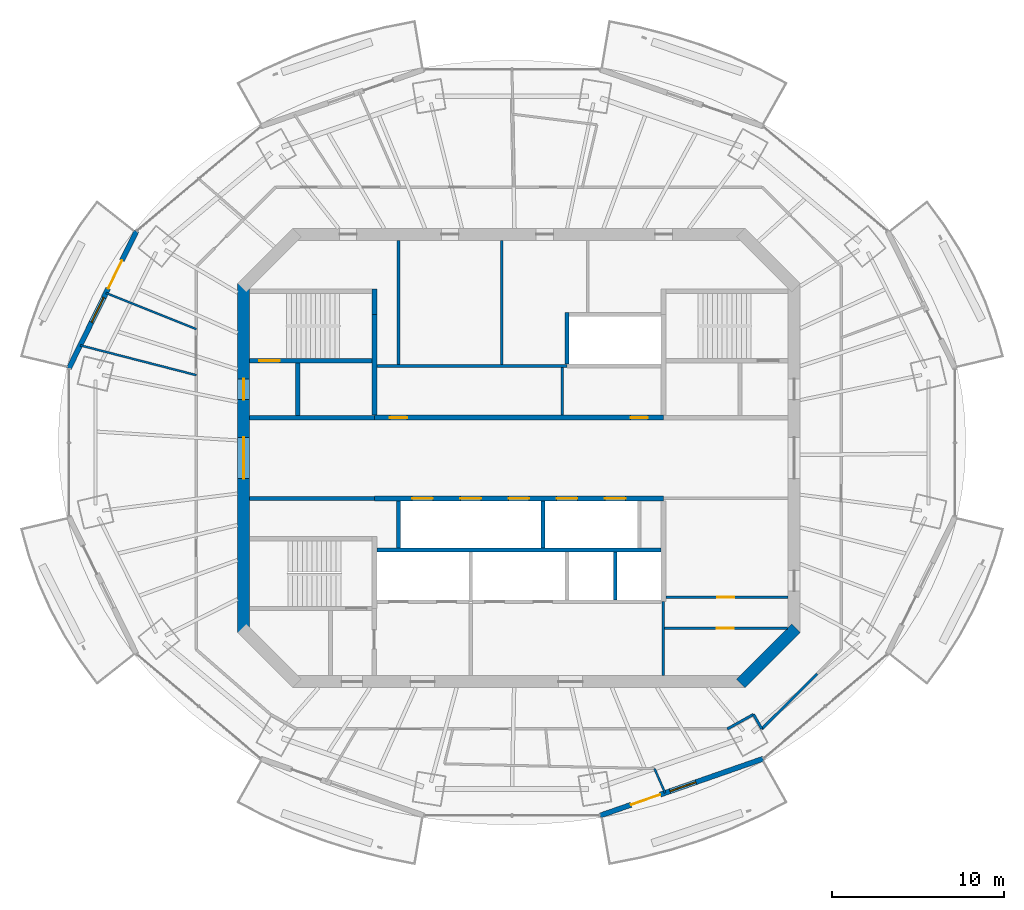
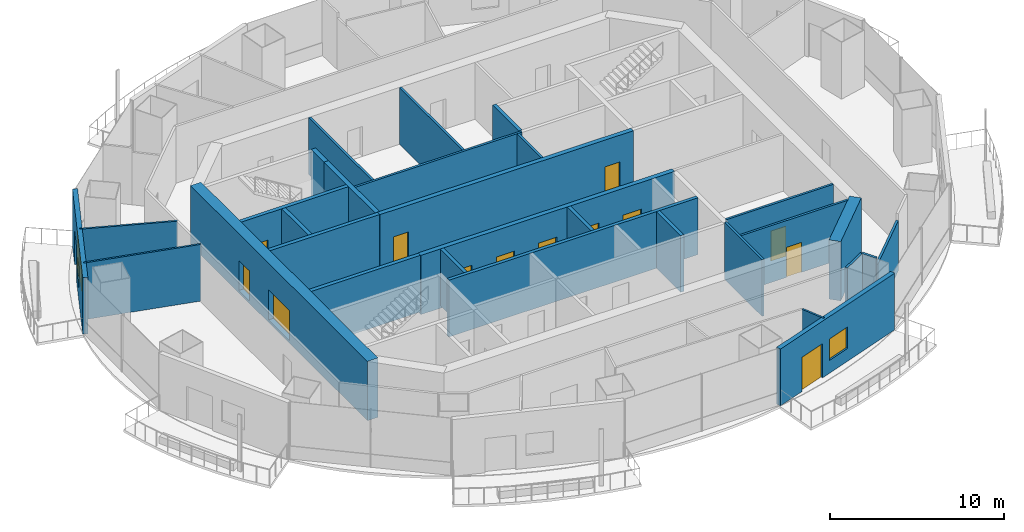
# One storey, part 9 of 16: 30 walls, 14 doors, 2 windows, 16 openings.
"""IFC4 building model written with IfcOpenShell, lengths in metres."""

from ifc_helpers import new_model, si_unit, direction, frame, frame_2d, origin, place, context, subcontext, project, spatial, rectangle, extrude, material, layer, layer_set, type_object, element, fill, save


model = new_model("IFC4")

# Units and contexts
model_context = context("Model", 3, precision=1e-05, world=origin(), true_north=direction((0.0, 1.0)))
body_context = subcontext(model_context, "Body", "Model", "MODEL_VIEW")
ifc_project = project(units=[si_unit("LENGTHUNIT", "METRE"), si_unit("AREAUNIT", "SQUARE_METRE"), si_unit("VOLUMEUNIT", "CUBIC_METRE"), si_unit("PLANEANGLEUNIT", "RADIAN"), si_unit("MASSUNIT", "GRAM", prefix="KILO")], contexts=[model_context])

# Site, building, storey
site_placement = place(None, origin())
site = spatial("IfcSite", under=ifc_project, at=site_placement, CompositionType="ELEMENT")
building_placement = place(site_placement, origin())
building = spatial("IfcBuilding", under=site, at=building_placement, Name="Marenthal Gate Tower", CompositionType="ELEMENT")
storey_placement = place(building_placement, frame((0.0, 0.0, 359.199951171875)))
storey = spatial("IfcBuildingStorey", under=building, at=storey_placement, Name="L81", CompositionType="ELEMENT", Elevation=359.199951171875)

# Wall
ifc_material_1 = material(Name="Concrete 60 MPa", Category="concrete")
ifc_layer_1 = layer(ifc_material_1, 0.699951171875)
ifc_layer_set_1 = layer_set([ifc_layer_1], Name="Core shear wall 700")
wall_type_1 = type_object("IfcWallType", Name="Core shear wall 700", PredefinedType="SHEAR", material=ifc_layer_set_1)
wall_1_placement = place(storey_placement, frame((12.8974609375, -13.1025390625, -0.179931640625), z_axis=(0.0, 0.0, 1.0), x_axis=(0.707106781187, 0.707106781187, 0.0)))
element("IfcWall", 1, at=wall_1_placement, inside=storey, type_object=wall_type_1, Name="Core wall 01", PredefinedType="SHEAR", context=body_context, shape_type="SweptSolid", body=[
    extrude(rectangle(XDim=4.53271484375, YDim=0.699951171875, at=frame_2d((2.266357421875, 0.0))), origin(), (0.0, 0.0, 1.0), 4.14990234375),
])

# Wall, openings, doors
wall_2_placement = place(storey_placement, frame((-16.0, 10.14501953125, -0.179931640625), z_axis=(0.0, 0.0, 1.0), x_axis=(0.0, -1.0, 0.0)))
wall_2 = element("IfcWall", 2, at=wall_2_placement, inside=storey, type_object=wall_type_1, Name="Core wall 06", PredefinedType="SHEAR", context=body_context, shape_type="SweptSolid", body=[
    extrude(rectangle(XDim=20.2900390625, YDim=0.699951171875, at=frame_2d((10.14501953125, 0.0))), origin(), (0.0, 0.0, 1.0), 4.14990234375),
])
opening_1_placement = place(wall_2_placement, frame((8.945068359375, 0.0, 0.179931640625)))
opening_1 = element("IfcOpeningElement", 3, at=opening_1_placement, cuts=wall_2, Name="Opening D003.01", PredefinedType="OPENING", context=body_context, shape_type="SweptSolid", body=[
    extrude(rectangle(XDim=2.39990234375, YDim=2.10009765625, at=frame_2d((1.199951171875, 1.050048828125))), frame((0.0, 0.35986328125, 0.0), z_axis=(0.0, -1.0, 0.0), x_axis=(1.0, 0.0, 0.0)), (0.0, 0.0, 1.0), 0.719970703125),
])
opening_2_placement = place(wall_2_placement, frame((5.544921875, 0.0, 0.179931640625)))
opening_2 = element("IfcOpeningElement", 4, at=opening_2_placement, cuts=wall_2, Name="Opening D001.04", PredefinedType="OPENING", context=body_context, shape_type="SweptSolid", body=[
    extrude(rectangle(XDim=1.199951171875, YDim=2.10009765625, at=frame_2d((0.60009765625, 1.050048828125))), frame((0.0, 0.35986328125, 0.0), z_axis=(0.0, -1.0, 0.0), x_axis=(1.0, 0.0, 0.0)), (0.0, 0.0, 1.0), 0.719970703125),
])
ifc_material_2 = material(Name="Steel fire door", Category="steel")
door_type_1 = type_object("IfcDoorType", Name="Double fire door FD 45 2400 x 2100", OperationType="DOUBLE_DOOR_SINGLE_SWING", PredefinedType="DOOR", material=ifc_material_2)
door_1_placement = place(opening_1_placement, origin())
door_1 = element("IfcDoor", 5, at=door_1_placement, inside=storey, type_object=door_type_1, Name="Door D003.01", OperationType="DOUBLE_DOOR_SINGLE_SWING", OverallHeight=2.10009765625, OverallWidth=2.39990234375, PredefinedType="DOOR", context=body_context, shape_type="SweptSolid", body=[
    extrude(rectangle(XDim=2.39990234375, YDim=2.10009765625, at=frame_2d((1.199951171875, 1.050048828125))), frame((0.0, 0.02490234375, 0.0), z_axis=(0.0, -1.0, 0.0), x_axis=(1.0, 0.0, 0.0)), (0.0, 0.0, 1.0), 0.050048828125),
])
fill(opening_1, door_1)
ifc_material_3 = material(Name="Steel fire door", Category="steel")
door_type_2 = type_object("IfcDoorType", Name="Fire door FD 90 1200 x 2100", OperationType="NOTDEFINED", PredefinedType="DOOR", material=ifc_material_3)
door_2_placement = place(opening_2_placement, origin())
door_2 = element("IfcDoor", 6, at=door_2_placement, inside=storey, type_object=door_type_2, Name="Door D001.04", OperationType="SINGLE_SWING_RIGHT", OverallHeight=2.10009765625, OverallWidth=1.199951171875, PredefinedType="DOOR", context=body_context, shape_type="SweptSolid", body=[
    extrude(rectangle(XDim=1.199951171875, YDim=2.10009765625, at=frame_2d((0.60009765625, 1.050048828125))), frame((0.0, 0.02490234375, 0.0), z_axis=(0.0, -1.0, 0.0), x_axis=(1.0, 0.0, 0.0)), (0.0, 0.0, 1.0), 0.050048828125),
])
fill(opening_2, door_2)

ifc_material_4 = material(Name="Concrete 50 MPa", Category="concrete")
ifc_layer_2 = layer(ifc_material_4, 0.300048828125)
ifc_layer_set_2 = layer_set([ifc_layer_2], Name="Hoistway shear wall 300")
wall_type_2 = type_object("IfcWallType", Name="Hoistway shear wall 300", PredefinedType="SHEAR", material=ifc_layer_set_2)
wall_3_placement = place(storey_placement, frame((-8.39990234375, -2.35009765625, -0.179931640625), z_axis=(0.0, 0.0, 1.0), x_axis=(1.0, 0.0, 0.0)))
wall_3 = element("IfcWall", 7, at=wall_3_placement, inside=storey, type_object=wall_type_2, Name="Hoistway wall 17", PredefinedType="SHEAR", context=body_context, shape_type="SweptSolid", body=[
    extrude(rectangle(XDim=16.7998046875, YDim=0.300048828125, at=frame_2d((8.39990234375, 0.0))), origin(), (0.0, 0.0, 1.0), 4.14990234375),
])
opening_3_placement = place(wall_3_placement, frame((2.199951171875, 0.0, 0.179931640625)))
opening_3 = element("IfcOpeningElement", 8, at=opening_3_placement, cuts=wall_3, Name="Opening LD-HP1", PredefinedType="OPENING", context=body_context, shape_type="SweptSolid", body=[
    extrude(rectangle(XDim=1.199951171875, YDim=2.10009765625, at=frame_2d((0.60009765625, 1.050048828125))), frame((0.0, 0.16015625, 0.0), z_axis=(0.0, -1.0, 0.0), x_axis=(1.0, 0.0, 0.0)), (0.0, 0.0, 1.0), 0.320068359375),
])
opening_4_placement = place(wall_3_placement, frame((5.0, 0.0, 0.179931640625)))
opening_4 = element("IfcOpeningElement", 9, at=opening_4_placement, cuts=wall_3, Name="Opening LD-HP2", PredefinedType="OPENING", context=body_context, shape_type="SweptSolid", body=[
    extrude(rectangle(XDim=1.199951171875, YDim=2.10009765625, at=frame_2d((0.60009765625, 1.050048828125))), frame((0.0, 0.16015625, 0.0), z_axis=(0.0, -1.0, 0.0), x_axis=(1.0, 0.0, 0.0)), (0.0, 0.0, 1.0), 0.320068359375),
])
opening_5_placement = place(wall_3_placement, frame((7.800048828125, 0.0, 0.179931640625)))
opening_5 = element("IfcOpeningElement", 10, at=opening_5_placement, cuts=wall_3, Name="Opening LD-HP3", PredefinedType="OPENING", context=body_context, shape_type="SweptSolid", body=[
    extrude(rectangle(XDim=1.199951171875, YDim=2.10009765625, at=frame_2d((0.60009765625, 1.050048828125))), frame((0.0, 0.16015625, 0.0), z_axis=(0.0, -1.0, 0.0), x_axis=(1.0, 0.0, 0.0)), (0.0, 0.0, 1.0), 0.320068359375),
])
opening_6_placement = place(wall_3_placement, frame((10.60009765625, 0.0, 0.179931640625)))
opening_6 = element("IfcOpeningElement", 11, at=opening_6_placement, cuts=wall_3, Name="Opening LD-HP4", PredefinedType="OPENING", context=body_context, shape_type="SweptSolid", body=[
    extrude(rectangle(XDim=1.199951171875, YDim=2.10009765625, at=frame_2d((0.60009765625, 1.050048828125))), frame((0.0, 0.16015625, 0.0), z_axis=(0.0, -1.0, 0.0), x_axis=(1.0, 0.0, 0.0)), (0.0, 0.0, 1.0), 0.320068359375),
])
opening_7_placement = place(wall_3_placement, frame((13.39990234375, 0.0, 0.179931640625)))
opening_7 = element("IfcOpeningElement", 12, at=opening_7_placement, cuts=wall_3, Name="Opening LD-HP5", PredefinedType="OPENING", context=body_context, shape_type="SweptSolid", body=[
    extrude(rectangle(XDim=1.199951171875, YDim=2.10009765625, at=frame_2d((0.60009765625, 1.050048828125))), frame((0.0, 0.16015625, 0.0), z_axis=(0.0, -1.0, 0.0), x_axis=(1.0, 0.0, 0.0)), (0.0, 0.0, 1.0), 0.320068359375),
])
ifc_material_5 = material(Name="Stainless steel sliding door", Category="steel")
door_type_3 = type_object("IfcDoorType", Name="Lift landing door FD 90 1200 x 2100", OperationType="DOUBLE_DOOR_SLIDING", PredefinedType="DOOR", material=ifc_material_5)
door_3_placement = place(opening_3_placement, origin())
door_3 = element("IfcDoor", 13, at=door_3_placement, inside=storey, type_object=door_type_3, Name="Lift landing door HP1", OperationType="DOUBLE_DOOR_SLIDING", OverallHeight=2.10009765625, OverallWidth=1.199951171875, PredefinedType="DOOR", context=body_context, shape_type="SweptSolid", body=[
    extrude(rectangle(XDim=1.199951171875, YDim=2.10009765625, at=frame_2d((0.60009765625, 1.050048828125))), frame((0.0, 0.02490234375, 0.0), z_axis=(0.0, -1.0, 0.0), x_axis=(1.0, 0.0, 0.0)), (0.0, 0.0, 1.0), 0.050048828125),
])
fill(opening_3, door_3)
door_4_placement = place(opening_4_placement, origin())
door_4 = element("IfcDoor", 14, at=door_4_placement, inside=storey, type_object=door_type_3, Name="Lift landing door HP2", OperationType="DOUBLE_DOOR_SLIDING", OverallHeight=2.10009765625, OverallWidth=1.199951171875, PredefinedType="DOOR", context=body_context, shape_type="SweptSolid", body=[
    extrude(rectangle(XDim=1.199951171875, YDim=2.10009765625, at=frame_2d((0.60009765625, 1.050048828125))), frame((0.0, 0.02490234375, 0.0), z_axis=(0.0, -1.0, 0.0), x_axis=(1.0, 0.0, 0.0)), (0.0, 0.0, 1.0), 0.050048828125),
])
fill(opening_4, door_4)
door_5_placement = place(opening_5_placement, origin())
door_5 = element("IfcDoor", 15, at=door_5_placement, inside=storey, type_object=door_type_3, Name="Lift landing door HP3", OperationType="DOUBLE_DOOR_SLIDING", OverallHeight=2.10009765625, OverallWidth=1.199951171875, PredefinedType="DOOR", context=body_context, shape_type="SweptSolid", body=[
    extrude(rectangle(XDim=1.199951171875, YDim=2.10009765625, at=frame_2d((0.60009765625, 1.050048828125))), frame((0.0, 0.02490234375, 0.0), z_axis=(0.0, -1.0, 0.0), x_axis=(1.0, 0.0, 0.0)), (0.0, 0.0, 1.0), 0.050048828125),
])
fill(opening_5, door_5)
door_6_placement = place(opening_6_placement, origin())
door_6 = element("IfcDoor", 16, at=door_6_placement, inside=storey, type_object=door_type_3, Name="Lift landing door HP4", OperationType="DOUBLE_DOOR_SLIDING", OverallHeight=2.10009765625, OverallWidth=1.199951171875, PredefinedType="DOOR", context=body_context, shape_type="SweptSolid", body=[
    extrude(rectangle(XDim=1.199951171875, YDim=2.10009765625, at=frame_2d((0.60009765625, 1.050048828125))), frame((0.0, 0.02490234375, 0.0), z_axis=(0.0, -1.0, 0.0), x_axis=(1.0, 0.0, 0.0)), (0.0, 0.0, 1.0), 0.050048828125),
])
fill(opening_6, door_6)
door_7_placement = place(opening_7_placement, origin())
door_7 = element("IfcDoor", 17, at=door_7_placement, inside=storey, type_object=door_type_3, Name="Lift landing door HP5", OperationType="DOUBLE_DOOR_SLIDING", OverallHeight=2.10009765625, OverallWidth=1.199951171875, PredefinedType="DOOR", context=body_context, shape_type="SweptSolid", body=[
    extrude(rectangle(XDim=1.199951171875, YDim=2.10009765625, at=frame_2d((0.60009765625, 1.050048828125))), frame((0.0, 0.02490234375, 0.0), z_axis=(0.0, -1.0, 0.0), x_axis=(1.0, 0.0, 0.0)), (0.0, 0.0, 1.0), 0.050048828125),
])
fill(opening_7, door_7)

wall_4_placement = place(storey_placement, frame((-8.39990234375, 2.35009765625, -0.179931640625), z_axis=(0.0, 0.0, 1.0), x_axis=(1.0, 0.0, 0.0)))
wall_4 = element("IfcWall", 18, at=wall_4_placement, inside=storey, type_object=wall_type_2, Name="Hoistway wall 20", PredefinedType="SHEAR", context=body_context, shape_type="SweptSolid", body=[
    extrude(rectangle(XDim=16.7998046875, YDim=0.300048828125, at=frame_2d((8.39990234375, 0.0))), origin(), (0.0, 0.0, 1.0), 4.14990234375),
])
opening_8_placement = place(wall_4_placement, frame((0.89990234375, 0.0, 0.179931640625)))
opening_8 = element("IfcOpeningElement", 19, at=opening_8_placement, cuts=wall_4, Name="Opening D005.01", PredefinedType="OPENING", context=body_context, shape_type="SweptSolid", body=[
    extrude(rectangle(XDim=1.0, YDim=2.10009765625, at=frame_2d((0.5, 1.050048828125))), frame((0.0, 0.16015625, 0.0), z_axis=(0.0, -1.0, 0.0), x_axis=(1.0, 0.0, 0.0)), (0.0, 0.0, 1.0), 0.320068359375),
])
opening_9_placement = place(wall_4_placement, frame((14.89990234375, 0.0, 0.179931640625)))
opening_9 = element("IfcOpeningElement", 20, at=opening_9_placement, cuts=wall_4, Name="Opening D005.02", PredefinedType="OPENING", context=body_context, shape_type="SweptSolid", body=[
    extrude(rectangle(XDim=1.0, YDim=2.10009765625, at=frame_2d((0.5, 1.050048828125))), frame((0.0, 0.16015625, 0.0), z_axis=(0.0, -1.0, 0.0), x_axis=(1.0, 0.0, 0.0)), (0.0, 0.0, 1.0), 0.320068359375),
])
ifc_material_6 = material(Name="Steel fire door", Category="steel")
door_type_4 = type_object("IfcDoorType", Name="Fire door FD 45 1000 x 2100", OperationType="NOTDEFINED", PredefinedType="DOOR", material=ifc_material_6)
door_8_placement = place(opening_8_placement, origin())
door_8 = element("IfcDoor", 21, at=door_8_placement, inside=storey, type_object=door_type_4, Name="Door D005.01", OperationType="SINGLE_SWING_RIGHT", OverallHeight=2.10009765625, OverallWidth=1.0, PredefinedType="DOOR", context=body_context, shape_type="SweptSolid", body=[
    extrude(rectangle(XDim=1.0, YDim=2.10009765625, at=frame_2d((0.5, 1.050048828125))), frame((0.0, 0.02490234375, 0.0), z_axis=(0.0, -1.0, 0.0), x_axis=(1.0, 0.0, 0.0)), (0.0, 0.0, 1.0), 0.050048828125),
])
fill(opening_8, door_8)
door_9_placement = place(opening_9_placement, origin())
door_9 = element("IfcDoor", 22, at=door_9_placement, inside=storey, type_object=door_type_4, Name="Door D005.02", OperationType="SINGLE_SWING_RIGHT", OverallHeight=2.10009765625, OverallWidth=1.0, PredefinedType="DOOR", context=body_context, shape_type="SweptSolid", body=[
    extrude(rectangle(XDim=1.0, YDim=2.10009765625, at=frame_2d((0.5, 1.050048828125))), frame((0.0, 0.02490234375, 0.0), z_axis=(0.0, -1.0, 0.0), x_axis=(1.0, 0.0, 0.0)), (0.0, 0.0, 1.0), 0.050048828125),
])
fill(opening_9, door_9)

# Walls
wall_5_placement = place(storey_placement, frame((-8.39990234375, 2.5, -0.179931640625), z_axis=(0.0, 0.0, 1.0), x_axis=(0.0, 1.0, 0.0)))
element("IfcWall", 23, at=wall_5_placement, inside=storey, type_object=wall_type_2, Name="Hoistway wall 33", PredefinedType="SHEAR", context=body_context, shape_type="SweptSolid", body=[
    extrude(rectangle(XDim=5.85009765625, YDim=0.300048828125, at=frame_2d((2.925048828125, 0.0))), origin(), (0.0, 0.0, 1.0), 4.14990234375),
])
ifc_material_7 = material(Name="Concrete 40 MPa", Category="concrete")
ifc_layer_3 = layer(ifc_material_7, 0.219970703125)
ifc_layer_set_3 = layer_set([ifc_layer_3], Name="Hoistway wall 220")
wall_type_3 = type_object("IfcWallType", Name="Hoistway wall 220", PredefinedType="STANDARD", material=ifc_layer_set_3)
wall_6_placement = place(storey_placement, frame((-8.25, -5.35009765625, 0.0), z_axis=(0.0, 0.0, 1.0), x_axis=(1.0, 0.0, 0.0)))
element("IfcWall", 24, at=wall_6_placement, inside=storey, type_object=wall_type_3, Name="Hoistway wall 14", PredefinedType="STANDARD", context=body_context, shape_type="SweptSolid", body=[
    extrude(rectangle(XDim=16.5, YDim=0.219970703125, at=frame_2d((8.25, 0.0))), origin(), (0.0, 0.0, 1.0), 3.969970703125),
])
for number, where, z_axis, x_axis, name in (
    (25, (-7.0, -5.239990234375, 0.0), (0.0, 0.0, 1.0), (0.0, 1.0, 0.0), "Hoistway wall 35"),
    (26, (1.39990234375, -5.239990234375, 0.0), (0.0, 0.0, 1.0), (0.0, 1.0, 0.0), "Hoistway wall 40"),
):
    element("IfcWall", number, at=place(storey_placement, frame(where, z_axis=z_axis, x_axis=x_axis)), inside=storey, type_object=wall_type_3, Name=name, PredefinedType="STANDARD", context=body_context, shape_type="SweptSolid", body=[
        extrude(rectangle(XDim=2.739990234375, YDim=0.219970703125, at=frame_2d((1.3701171875, 0.0))), origin(), (0.0, 0.0, 1.0), 3.969970703125),
    ])
wall_7_placement = place(storey_placement, frame((2.800048828125, 5.4599609375, 0.0), z_axis=(0.0, 0.0, 1.0), x_axis=(0.0, 1.0, 0.0)))
element("IfcWall", 27, at=wall_7_placement, inside=storey, type_object=wall_type_3, Name="Hoistway wall 43", PredefinedType="STANDARD", context=body_context, shape_type="SweptSolid", body=[
    extrude(rectangle(XDim=3.0, YDim=0.219970703125, at=frame_2d((1.5, 0.0))), origin(), (0.0, 0.0, 1.0), 3.969970703125),
])
wall_8_placement = place(storey_placement, frame((5.60009765625, -8.239990234375, 0.0), z_axis=(0.0, 0.0, 1.0), x_axis=(0.0, 1.0, 0.0)))
element("IfcWall", 28, at=wall_8_placement, inside=storey, type_object=wall_type_3, Name="Hoistway wall 45", PredefinedType="STANDARD", context=body_context, shape_type="SweptSolid", body=[
    extrude(rectangle(XDim=2.780029296875, YDim=0.219970703125, at=frame_2d((1.39013671875, 0.0))), origin(), (0.0, 0.0, 1.0), 3.969970703125),
])
ifc_material_8 = material(Name="Gypsum board on steel studs", Category="steel")
ifc_layer_4 = layer(ifc_material_8, 0.1201171875)
ifc_layer_set_4 = layer_set([ifc_layer_4], Name="Partition 120")
wall_type_4 = type_object("IfcWallType", Name="Partition 120", PredefinedType="PARTITIONING", material=ifc_layer_set_4)
wall_9_placement = place(storey_placement, frame((-18.75, 4.8173828125, 0.0), z_axis=(0.0, 0.0, 1.0), x_axis=(-0.968546007416, 0.248834546472, 0.0)))
element("IfcWall", 29, at=wall_9_placement, inside=storey, type_object=wall_type_4, Name="Partition wall 53", PredefinedType="PARTITIONING", context=body_context, shape_type="SweptSolid", body=[
    extrude(rectangle(XDim=6.970947265625, YDim=0.1201171875, at=frame_2d((3.4853515625, 0.0))), origin(), (0.0, 0.0, 1.0), 3.969970703125),
])
wall_10_placement = place(storey_placement, frame((-18.75, 7.494873046875, 0.0), z_axis=(0.0, 0.0, 1.0), x_axis=(-0.928562955477, 0.371174942197, 0.0)))
element("IfcWall", 30, at=wall_10_placement, inside=storey, type_object=wall_type_4, Name="Partition wall 54", PredefinedType="PARTITIONING", context=body_context, shape_type="SweptSolid", body=[
    extrude(rectangle(XDim=5.65869140625, YDim=0.1201171875, at=frame_2d((2.829345703125, 0.0))), origin(), (0.0, 0.0, 1.0), 3.969970703125),
])
wall_11_placement = place(storey_placement, frame((7.8837890625, -18.055908203125, 0.0), z_axis=(0.0, 0.0, 1.0), x_axis=(0.400253967032, -0.916404256797, 0.0)))
element("IfcWall", 31, at=wall_11_placement, inside=storey, type_object=wall_type_4, Name="Partition wall 69", PredefinedType="PARTITIONING", context=body_context, shape_type="SweptSolid", body=[
    extrude(rectangle(XDim=1.5419921875, YDim=0.1201171875, at=frame_2d((0.77099609375, 0.0))), origin(), (0.0, 0.0, 1.0), 3.969970703125),
])

# Wall, opening, door
ifc_material_9 = material(Name="Gypsum board on steel studs", Category="steel")
ifc_layer_5 = layer(ifc_material_9, 0.14990234375)
ifc_layer_set_5 = layer_set([ifc_layer_5], Name="Partition 150")
wall_type_5 = type_object("IfcWallType", Name="Partition 150", PredefinedType="PARTITIONING", material=ifc_layer_set_5)
wall_12_placement = place(storey_placement, frame((8.47509765625, -9.89990234375, 0.0), z_axis=(0.0, 0.0, 1.0), x_axis=(1.0, 0.0, 0.0)))
wall_12 = element("IfcWall", 32, at=wall_12_placement, inside=storey, type_object=wall_type_5, Name="Partition wall 09", PredefinedType="PARTITIONING", context=body_context, shape_type="SweptSolid", body=[
    extrude(rectangle(XDim=7.1298828125, YDim=0.14990234375, at=frame_2d((3.56494140625, 0.0))), origin(), (0.0, 0.0, 1.0), 3.969970703125),
])
opening_10_placement = place(wall_12_placement, frame((3.027587890625, 0.0, 0.0)))
opening_10 = element("IfcOpeningElement", 33, at=opening_10_placement, cuts=wall_12, Name="Opening D005.08", PredefinedType="OPENING", context=body_context, shape_type="SweptSolid", body=[
    extrude(rectangle(XDim=1.0, YDim=2.10009765625, at=frame_2d((0.5, 1.050048828125))), frame((0.0, 0.0849609375, 0.0), z_axis=(0.0, -1.0, 0.0), x_axis=(1.0, 0.0, 0.0)), (0.0, 0.0, 1.0), 0.169921875),
])
door_10_placement = place(opening_10_placement, frame((1.0, 0.0, 0.0), z_axis=(0.0, 0.0, 1.0), x_axis=(-1.0, 0.0, 0.0)))
door_10 = element("IfcDoor", 34, at=door_10_placement, inside=storey, type_object=door_type_4, Name="Door D005.08", OperationType="SINGLE_SWING_LEFT", OverallHeight=2.10009765625, OverallWidth=1.0, PredefinedType="DOOR", context=body_context, shape_type="SweptSolid", body=[
    extrude(rectangle(XDim=1.0, YDim=2.10009765625, at=frame_2d((0.5, 1.050048828125))), frame((0.0, 0.02490234375, 0.0), z_axis=(0.0, -1.0, 0.0), x_axis=(1.0, 0.0, 0.0)), (0.0, 0.0, 1.0), 0.050048828125),
])
fill(opening_10, door_10)

wall_13_placement = place(storey_placement, frame((8.550048828125, -8.10009765625, 0.0), z_axis=(0.0, 0.0, 1.0), x_axis=(1.0, 0.0, 0.0)))
wall_13 = element("IfcWall", 35, at=wall_13_placement, inside=storey, type_object=wall_type_5, Name="Partition wall 13", PredefinedType="PARTITIONING", context=body_context, shape_type="SweptSolid", body=[
    extrude(rectangle(XDim=7.099853515625, YDim=0.14990234375, at=frame_2d((3.5498046875, 0.0))), origin(), (0.0, 0.0, 1.0), 3.969970703125),
])
opening_11_placement = place(wall_13_placement, frame((2.97509765625, 0.0, 0.0)))
opening_11 = element("IfcOpeningElement", 36, at=opening_11_placement, cuts=wall_13, Name="Opening D005.07", PredefinedType="OPENING", context=body_context, shape_type="SweptSolid", body=[
    extrude(rectangle(XDim=1.0, YDim=2.10009765625, at=frame_2d((0.5, 1.050048828125))), frame((0.0, 0.0849609375, 0.0), z_axis=(0.0, -1.0, 0.0), x_axis=(1.0, 0.0, 0.0)), (0.0, 0.0, 1.0), 0.169921875),
])
door_11_placement = place(opening_11_placement, origin())
door_11 = element("IfcDoor", 37, at=door_11_placement, inside=storey, type_object=door_type_4, Name="Door D005.07", OperationType="SINGLE_SWING_RIGHT", OverallHeight=2.10009765625, OverallWidth=1.0, PredefinedType="DOOR", context=body_context, shape_type="SweptSolid", body=[
    extrude(rectangle(XDim=1.0, YDim=2.10009765625, at=frame_2d((0.5, 1.050048828125))), frame((0.0, 0.02490234375, 0.0), z_axis=(0.0, -1.0, 0.0), x_axis=(1.0, 0.0, 0.0)), (0.0, 0.0, 1.0), 0.050048828125),
])
fill(opening_11, door_11)

# Walls
wall_14_placement = place(storey_placement, frame((-8.25, 5.35009765625, 0.0), z_axis=(0.0, 0.0, 1.0), x_axis=(1.0, 0.0, 0.0)))
element("IfcWall", 38, at=wall_14_placement, inside=storey, type_object=wall_type_5, Name="Partition wall 22", PredefinedType="PARTITIONING", context=body_context, shape_type="SweptSolid", body=[
    extrude(rectangle(XDim=11.050048828125, YDim=0.14990234375, at=frame_2d((5.52490234375, 0.0))), origin(), (0.0, 0.0, 1.0), 3.969970703125),
])
for number, where, z_axis, x_axis, name in (
    (39, (-7.0, 5.425048828125, 0.0), (0.0, 0.0, 1.0), (0.0, 1.0, 0.0), "Partition wall 36"),
    (40, (-1.0, 5.425048828125, 0.0), (0.0, 0.0, 1.0), (0.0, 1.0, 0.0), "Partition wall 39"),
):
    element("IfcWall", number, at=place(storey_placement, frame(where, z_axis=z_axis, x_axis=x_axis)), inside=storey, type_object=wall_type_5, Name=name, PredefinedType="PARTITIONING", context=body_context, shape_type="SweptSolid", body=[
        extrude(rectangle(XDim=7.224853515625, YDim=0.14990234375, at=frame_2d((3.6123046875, 0.0))), origin(), (0.0, 0.0, 1.0), 3.969970703125),
    ])
wall_15_placement = place(storey_placement, frame((2.52001953125, 2.5, 0.0), z_axis=(0.0, 0.0, 1.0), x_axis=(0.0, 1.0, 0.0)))
element("IfcWall", 41, at=wall_15_placement, inside=storey, type_object=wall_type_5, Name="Partition wall 41", PredefinedType="PARTITIONING", context=body_context, shape_type="SweptSolid", body=[
    extrude(rectangle(XDim=2.77490234375, YDim=0.14990234375, at=frame_2d((1.387451171875, 0.0))), origin(), (0.0, 0.0, 1.0), 3.969970703125),
])
wall_16_placement = place(storey_placement, frame((8.39990234375, -12.64990234375, 0.0), z_axis=(0.0, 0.0, 1.0), x_axis=(0.0, 1.0, 0.0)))
element("IfcWall", 42, at=wall_16_placement, inside=storey, type_object=wall_type_5, Name="Partition wall 47", PredefinedType="PARTITIONING", context=body_context, shape_type="SweptSolid", body=[
    extrude(rectangle(XDim=4.2998046875, YDim=0.14990234375, at=frame_2d((2.14990234375, 0.0))), origin(), (0.0, 0.0, 1.0), 3.969970703125),
])
wall_17_placement = place(storey_placement, frame((13.639404296875, -14.9033203125, 0.0), z_axis=(0.0, 0.0, 1.0), x_axis=(-0.87407797583, -0.485785644259, 0.0)))
element("IfcWall", 43, at=wall_17_placement, inside=storey, type_object=wall_type_5, Name="Partition wall 71", PredefinedType="PARTITIONING", context=body_context, shape_type="SweptSolid", body=[
    extrude(rectangle(XDim=1.742919921875, YDim=0.14990234375, at=frame_2d((0.87158203125, 0.0))), origin(), (0.0, 0.0, 1.0), 3.969970703125),
])
wall_18_placement = place(storey_placement, frame((14.12451171875, -15.75, 0.0), z_axis=(0.0, 0.0, 1.0), x_axis=(-0.497135538287, 0.867672897221, 0.0)))
element("IfcWall", 44, at=wall_18_placement, inside=storey, type_object=wall_type_5, Name="Partition wall 72", PredefinedType="PARTITIONING", context=body_context, shape_type="SweptSolid", body=[
    extrude(rectangle(XDim=0.975830078125, YDim=0.14990234375, at=frame_2d((0.48779296875, 0.0))), origin(), (0.0, 0.0, 1.0), 3.969970703125),
])
wall_19_placement = place(storey_placement, frame((17.343994140625, -12.540771484375, 0.0), z_axis=(0.0, 0.0, 1.0), x_axis=(-0.708233727954, -0.705978035486, 0.0)))
element("IfcWall", 45, at=wall_19_placement, inside=storey, type_object=wall_type_5, Name="Partition wall 79", PredefinedType="PARTITIONING", context=body_context, shape_type="SweptSolid", body=[
    extrude(rectangle(XDim=4.5458984375, YDim=0.14990234375, at=frame_2d((2.27294921875, 0.0))), origin(), (0.0, 0.0, 1.0), 3.508056640625),
])
ifc_material_10 = material(Name="Concrete 40 MPa", Category="concrete")
ifc_layer_6 = layer(ifc_material_10, 0.25)
ifc_layer_set_6 = layer_set([ifc_layer_6], Name="Stair enclosure wall 250")
wall_type_6 = type_object("IfcWallType", Name="Stair enclosure wall 250", PredefinedType="STANDARD", material=ifc_layer_set_6)
for number, where, z_axis, x_axis, name in (
    (46, (-15.64990234375, -2.35009765625, 0.0), (0.0, 0.0, 1.0), (1.0, 0.0, 0.0), "Stair wall 16"),
    (47, (-15.64990234375, 2.35009765625, 0.0), (0.0, 0.0, 1.0), (1.0, 0.0, 0.0), "Stair wall 19"),
):
    element("IfcWall", number, at=place(storey_placement, frame(where, z_axis=z_axis, x_axis=x_axis)), inside=storey, type_object=wall_type_6, Name=name, PredefinedType="STANDARD", context=body_context, shape_type="SweptSolid", body=[
        extrude(rectangle(XDim=7.25, YDim=0.25, at=frame_2d((3.625, 0.0))), origin(), (0.0, 0.0, 1.0), 3.969970703125),
    ])
wall_20_placement = place(storey_placement, frame((-12.85009765625, 2.47509765625, 0.0), z_axis=(0.0, 0.0, 1.0), x_axis=(0.0, 1.0, 0.0)))
element("IfcWall", 48, at=wall_20_placement, inside=storey, type_object=wall_type_6, Name="Stair wall 29", PredefinedType="STANDARD", context=body_context, shape_type="SweptSolid", body=[
    extrude(rectangle(XDim=3.0498046875, YDim=0.25, at=frame_2d((1.52490234375, 0.0))), origin(), (0.0, 0.0, 1.0), 3.969970703125),
])

# Wall, opening, door
ifc_material_11 = material(Name="Concrete 50 MPa", Category="concrete")
ifc_layer_7 = layer(ifc_material_11, 0.25)
ifc_layer_set_7 = layer_set([ifc_layer_7], Name="Stair shear wall 250")
wall_type_7 = type_object("IfcWallType", Name="Stair shear wall 250", PredefinedType="SHEAR", material=ifc_layer_set_7)
wall_21_placement = place(storey_placement, frame((-15.64990234375, 5.64990234375, -0.179931640625), z_axis=(0.0, 0.0, 1.0), x_axis=(1.0, 0.0, 0.0)))
wall_21 = element("IfcWall", 49, at=wall_21_placement, inside=storey, type_object=wall_type_7, Name="Stair wall 24", PredefinedType="SHEAR", context=body_context, shape_type="SweptSolid", body=[
    extrude(rectangle(XDim=7.099853515625, YDim=0.25, at=frame_2d((3.5498046875, 0.0))), origin(), (0.0, 0.0, 1.0), 4.14990234375),
])
opening_12_placement = place(wall_21_placement, frame((0.550048828125, 0.0, 0.179931640625)))
opening_12 = element("IfcOpeningElement", 50, at=opening_12_placement, cuts=wall_21, Name="Opening D001.01", PredefinedType="OPENING", context=body_context, shape_type="SweptSolid", body=[
    extrude(rectangle(XDim=1.199951171875, YDim=2.10009765625, at=frame_2d((0.60009765625, 1.050048828125))), frame((0.0, 0.135009765625, 0.0), z_axis=(0.0, -1.0, 0.0), x_axis=(1.0, 0.0, 0.0)), (0.0, 0.0, 1.0), 0.27001953125),
])
door_12_placement = place(opening_12_placement, origin())
door_12 = element("IfcDoor", 51, at=door_12_placement, inside=storey, type_object=door_type_2, Name="Door D001.01", OperationType="SINGLE_SWING_RIGHT", OverallHeight=2.10009765625, OverallWidth=1.199951171875, PredefinedType="DOOR", context=body_context, shape_type="SweptSolid", body=[
    extrude(rectangle(XDim=1.199951171875, YDim=2.10009765625, at=frame_2d((0.60009765625, 1.050048828125))), frame((0.0, 0.02490234375, 0.0), z_axis=(0.0, -1.0, 0.0), x_axis=(1.0, 0.0, 0.0)), (0.0, 0.0, 1.0), 0.050048828125),
])
fill(opening_12, door_12)

# Wall
ifc_material_12 = material(Name="Concrete 50 MPa", Category="concrete")
ifc_layer_8 = layer(ifc_material_12, 0.300048828125)
ifc_layer_set_8 = layer_set([ifc_layer_8], Name="Stair shear wall 300")
wall_type_8 = type_object("IfcWallType", Name="Stair shear wall 300", PredefinedType="SHEAR", material=ifc_layer_set_8)
wall_22_placement = place(storey_placement, frame((-8.39990234375, 8.35009765625, -0.179931640625), z_axis=(0.0, 0.0, 1.0), x_axis=(0.0, 1.0, 0.0)))
element("IfcWall", 52, at=wall_22_placement, inside=storey, type_object=wall_type_8, Name="Stair wall 34", PredefinedType="SHEAR", context=body_context, shape_type="SweptSolid", body=[
    extrude(rectangle(XDim=1.474853515625, YDim=0.300048828125, at=frame_2d((0.7373046875, 0.0))), origin(), (0.0, 0.0, 1.0), 4.14990234375),
])

# Wall, openings, door, window
ifc_material_13 = material(Name="Terracotta cladding on insulated concrete-block backing", Category="masonry")
ifc_layer_9 = layer(ifc_material_13, 0.300048828125)
ifc_layer_set_9 = layer_set([ifc_layer_9], Name="Terracotta facade wall 300")
wall_type_9 = type_object("IfcWallType", Name="Terracotta facade wall 300", PredefinedType="SOLIDWALL", material=ifc_layer_set_9)
wall_23_placement = place(storey_placement, frame((-22.238525390625, 13.18408203125, 0.0), z_axis=(0.0, 0.0, 1.0), x_axis=(-0.441498870894, -0.89726180516, 0.0)))
wall_23 = element("IfcWall", 53, at=wall_23_placement, inside=storey, type_object=wall_type_9, Name="Terracotta facade wall L81 bay 7", PredefinedType="SOLIDWALL", context=body_context, shape_type="SweptSolid", body=[
    extrude(rectangle(XDim=8.883056640625, YDim=0.300048828125, at=frame_2d((4.44140625, 0.0))), origin(), (0.0, 0.0, 1.0), 3.969970703125),
])
opening_13_placement = place(wall_23_placement, frame((1.89990234375, 0.0, 0.0)))
opening_13 = element("IfcOpeningElement", 54, at=opening_13_placement, cuts=wall_23, Name="Opening BD-L81-07", PredefinedType="OPENING", context=body_context, shape_type="SweptSolid", body=[
    extrude(rectangle(XDim=1.800048828125, YDim=2.39990234375, at=frame_2d((0.89990234375, 1.199951171875))), frame((0.0, 0.16015625, 0.0), z_axis=(0.0, -1.0, 0.0), x_axis=(1.0, 0.0, 0.0)), (0.0, 0.0, 1.0), 0.320068359375),
])
opening_14_placement = place(wall_23_placement, frame((4.300048828125, 0.0, 0.89990234375)))
opening_14 = element("IfcOpeningElement", 55, at=opening_14_placement, cuts=wall_23, Name="Opening WN3-L81-07", PredefinedType="OPENING", context=body_context, shape_type="SweptSolid", body=[
    extrude(rectangle(XDim=1.60009765625, YDim=1.5, at=frame_2d((0.800048828125, 0.75))), frame((0.0, 0.16015625, 0.0), z_axis=(0.0, -1.0, 0.0), x_axis=(1.0, 0.0, 0.0)), (0.0, 0.0, 1.0), 0.320068359375),
])
ifc_material_14 = material(Name="Aluminium and glass", Category="aluminium")
door_type_5 = type_object("IfcDoorType", Name="Balcony door 1800x2400", OperationType="DOUBLE_DOOR_SINGLE_SWING", PredefinedType="DOOR", material=ifc_material_14)
door_13_placement = place(opening_13_placement, origin())
door_13 = element("IfcDoor", 56, at=door_13_placement, inside=storey, type_object=door_type_5, Name="Balcony door L81 bay 7", OperationType="SINGLE_SWING_LEFT", OverallHeight=2.39990234375, OverallWidth=1.800048828125, PredefinedType="DOOR", context=body_context, shape_type="SweptSolid", body=[
    extrude(rectangle(XDim=1.800048828125, YDim=2.39990234375, at=frame_2d((0.89990234375, 1.199951171875))), frame((0.0, 0.02490234375, 0.0), z_axis=(0.0, -1.0, 0.0), x_axis=(1.0, 0.0, 0.0)), (0.0, 0.0, 1.0), 0.050048828125),
])
fill(opening_13, door_13)
ifc_material_15 = material(Name="Aluminium and glass", Category="aluminium")
window_type = type_object("IfcWindowType", Name="Window 1600x1500", PartitioningType="DOUBLE_PANEL_VERTICAL", PredefinedType="WINDOW", material=ifc_material_15)
window_1_placement = place(opening_14_placement, origin())
window_1 = element("IfcWindow", 57, at=window_1_placement, inside=storey, type_object=window_type, Name="Window L81 bay 7", OverallHeight=1.5, OverallWidth=1.60009765625, PartitioningType="SINGLE_PANEL", PredefinedType="WINDOW", context=body_context, shape_type="SweptSolid", body=[
    extrude(rectangle(XDim=1.60009765625, YDim=1.5, at=frame_2d((0.800048828125, 0.75))), frame((0.0, 0.030029296875, 0.0), z_axis=(0.0, -1.0, 0.0), x_axis=(1.0, 0.0, 0.0)), (0.0, 0.0, 1.0), 0.06005859375),
])
fill(opening_14, window_1)

wall_24_placement = place(storey_placement, frame((4.72412109375, -20.7861328125, 0.0), z_axis=(0.0, 0.0, 1.0), x_axis=(0.944239971919, 0.329258068133, 0.0)))
wall_24 = element("IfcWall", 58, at=wall_24_placement, inside=storey, type_object=wall_type_9, Name="Terracotta facade wall L81 bay 13", PredefinedType="SOLIDWALL", context=body_context, shape_type="SweptSolid", body=[
    extrude(rectangle(XDim=10.027099609375, YDim=0.300048828125, at=frame_2d((5.013671875, 0.0))), origin(), (0.0, 0.0, 1.0), 3.969970703125),
])
opening_15_placement = place(wall_24_placement, frame((1.89990234375, 0.0, 0.0)))
opening_15 = element("IfcOpeningElement", 59, at=opening_15_placement, cuts=wall_24, Name="Opening BD-L81-13", PredefinedType="OPENING", context=body_context, shape_type="SweptSolid", body=[
    extrude(rectangle(XDim=1.800048828125, YDim=2.39990234375, at=frame_2d((0.89990234375, 1.199951171875))), frame((0.0, 0.16015625, 0.0), z_axis=(0.0, -1.0, 0.0), x_axis=(1.0, 0.0, 0.0)), (0.0, 0.0, 1.0), 0.320068359375),
])
opening_16_placement = place(wall_24_placement, frame((4.300048828125, 0.0, 0.89990234375)))
opening_16 = element("IfcOpeningElement", 60, at=opening_16_placement, cuts=wall_24, Name="Opening WN3-L81-13", PredefinedType="OPENING", context=body_context, shape_type="SweptSolid", body=[
    extrude(rectangle(XDim=1.60009765625, YDim=1.5, at=frame_2d((0.800048828125, 0.75))), frame((0.0, 0.16015625, 0.0), z_axis=(0.0, -1.0, 0.0), x_axis=(1.0, 0.0, 0.0)), (0.0, 0.0, 1.0), 0.320068359375),
])
door_14_placement = place(opening_15_placement, origin())
door_14 = element("IfcDoor", 61, at=door_14_placement, inside=storey, type_object=door_type_5, Name="Balcony door L81 bay 13", OperationType="SINGLE_SWING_LEFT", OverallHeight=2.39990234375, OverallWidth=1.800048828125, PredefinedType="DOOR", context=body_context, shape_type="SweptSolid", body=[
    extrude(rectangle(XDim=1.800048828125, YDim=2.39990234375, at=frame_2d((0.89990234375, 1.199951171875))), frame((0.0, 0.02490234375, 0.0), z_axis=(0.0, -1.0, 0.0), x_axis=(1.0, 0.0, 0.0)), (0.0, 0.0, 1.0), 0.050048828125),
])
fill(opening_15, door_14)
window_2_placement = place(opening_16_placement, origin())
window_2 = element("IfcWindow", 62, at=window_2_placement, inside=storey, type_object=window_type, Name="Window L81 bay 13", OverallHeight=1.5, OverallWidth=1.60009765625, PartitioningType="SINGLE_PANEL", PredefinedType="WINDOW", context=body_context, shape_type="SweptSolid", body=[
    extrude(rectangle(XDim=1.60009765625, YDim=1.5, at=frame_2d((0.800048828125, 0.75))), frame((0.0, 0.030029296875, 0.0), z_axis=(0.0, -1.0, 0.0), x_axis=(1.0, 0.0, 0.0)), (0.0, 0.0, 1.0), 0.06005859375),
])
fill(opening_16, window_2)

save(model, "model.ifc")
